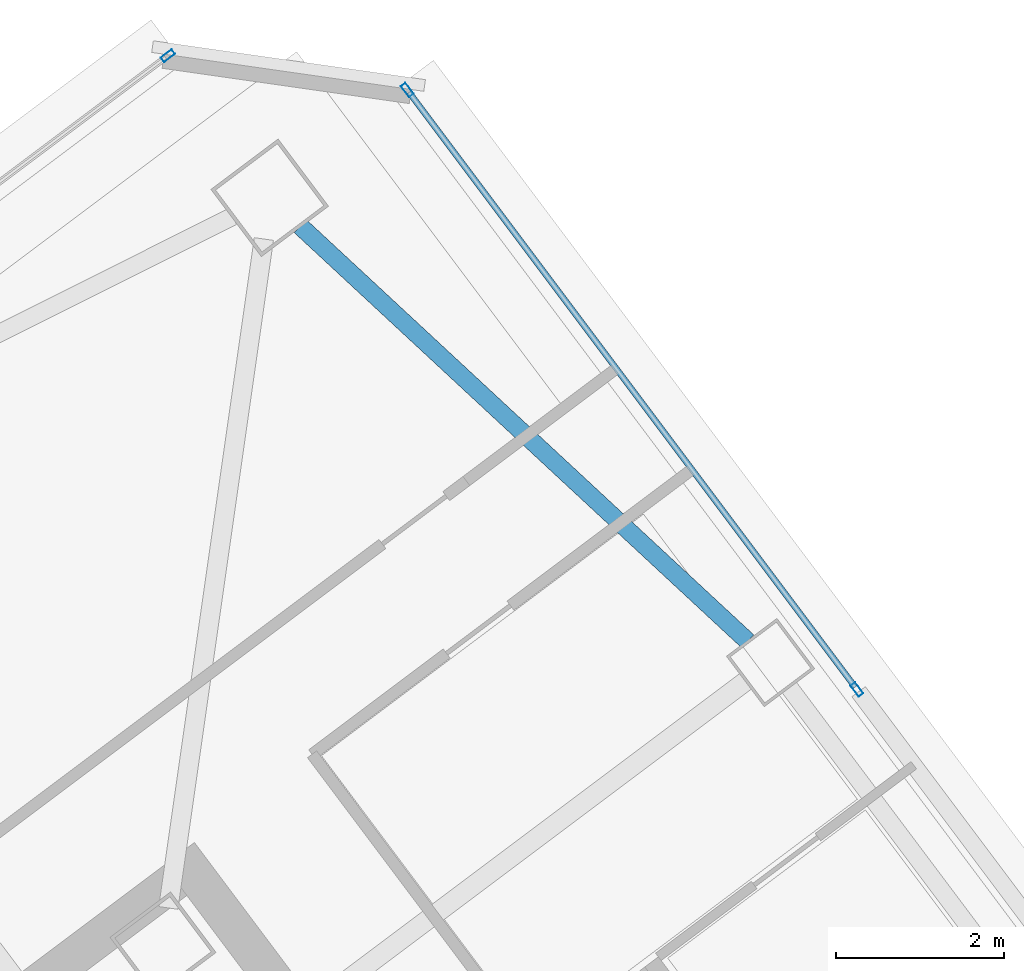
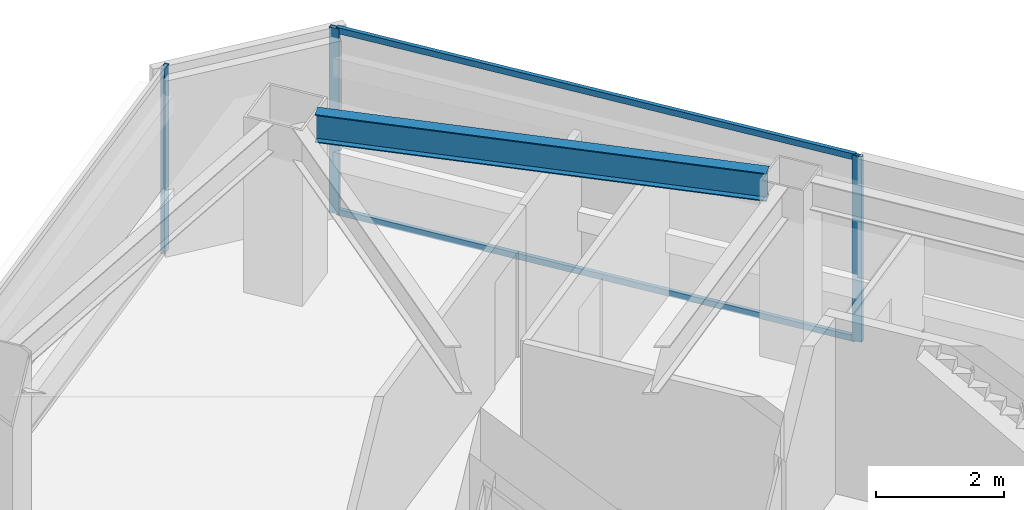
# One storey, part 27 of 39: 5 members, 1 beam, 2 elements without a shape of their own.
"""IFC4 building model written with IfcOpenShell, lengths in metres."""

from ifc_helpers import new_model, si_unit, direction, frame, origin, origin_2d, place, context, subcontext, project, spatial, hollow_rectangle, i_section, extrude, material, material_profile, profile_set, type_object, element, aggregate, save


model = new_model("IFC4")

# Units and contexts
model_context = context("Model", 3, precision=1e-05, world=origin(), true_north=direction((0.0, 1.0)))
body_context = subcontext(model_context, "Body", "Model", "MODEL_VIEW")
ifc_project = project(units=[si_unit("LENGTHUNIT", "METRE"), si_unit("AREAUNIT", "SQUARE_METRE"), si_unit("VOLUMEUNIT", "CUBIC_METRE"), si_unit("PLANEANGLEUNIT", "RADIAN"), si_unit("MASSUNIT", "GRAM", prefix="KILO")], contexts=[model_context])

# Site, building, storey
site_placement = place(None, origin())
site = spatial("IfcSite", under=ifc_project, at=site_placement, CompositionType="ELEMENT")
building_placement = place(site_placement, origin())
building = spatial("IfcBuilding", under=site, at=building_placement, Name="Tashvorn Skyway Center", CompositionType="ELEMENT")
storey_placement = place(building_placement, frame((0.0, 0.0, 207.75)))
storey = spatial("IfcBuildingStorey", under=building, at=storey_placement, Name="L56", CompositionType="ELEMENT", Elevation=207.75)

# Beam
ifc_material_1 = material(Name="Steel ASTM A992 Grade 50", Category="steel")
ifc_material_profile_1 = material_profile(ifc_material_1, i_section(OverallWidth=0.2109375, OverallDepth=0.5390625, WebThickness=0.01171875, FlangeThickness=0.018798828125, at=origin_2d()), Name="W21X73")
ifc_profile_set_1 = profile_set([ifc_material_profile_1], Name="Steel ASTM A992 Grade 50")
beam_type = type_object("IfcBeamType", Name="BM-SPANDREL-W21X73", PredefinedType="SPANDREL", material=ifc_profile_set_1)
beam_placement = place(storey_placement, frame((122.36865234375, 45.481689453125, 3.1005859375), z_axis=(-0.733042389989, 0.680182956622, 0.0), x_axis=(-0.680182956622, -0.733042389989, 0.0)))
element("IfcBeam", 1, at=beam_placement, inside=storey, type_object=beam_type, Name="Tower 2 L56 Spandrel Beam 06", PredefinedType="SPANDREL", context=body_context, shape_type="SweptSolid", body=[
    extrude(i_section(OverallWidth=0.2109375, OverallDepth=0.5390625, WebThickness=0.01171875, FlangeThickness=0.018798828125, at=origin_2d()), origin(), (0.0, 0.0, 1.0), 7.26513671875),
])

# Curtain wall, member
ifc_material_2 = material(Name="Thermally broken bronze-anodized aluminium 6063-T6", Category="aluminium")
curtain_wall_type = type_object("IfcCurtainWallType", Name="CW-CW-Z5", PredefinedType="NOTDEFINED", material=ifc_material_2)
curtain_wall_1_placement = place(storey_placement, origin())
curtain_wall_1 = element("IfcCurtainWall", 2, at=curtain_wall_1_placement, inside=storey, type_object=curtain_wall_type, Name="Tower 2 L56 North Unitised Curtain Wall Glazing Group 2", PredefinedType="NOTDEFINED")
ifc_material_profile_2 = material_profile(ifc_material_2, hollow_rectangle(XDim=0.070068359375, YDim=0.1650390625, WallThickness=0.00390625, at=origin_2d()), Name="ALU-MULL-70x165")
ifc_profile_set_2 = profile_set([ifc_material_profile_2], Name="Thermally broken bronze-anodized aluminium 6063-T6")
member_type_1 = type_object("IfcMemberType", Name="CWM-CW-Z5", PredefinedType="MULLION", material=ifc_profile_set_2)
member_1_placement = place(storey_placement, frame((115.468017578125, 52.450927734375, 0.0), z_axis=(0.0, 0.0, 1.0), x_axis=(-0.600001780418, 0.799998664683, 0.0)))
member_1 = element("IfcMember", 3, at=member_1_placement, type_object=member_type_1, Name="CW-Z5 mullion 2", PredefinedType="MULLION", context=body_context, shape_type="SweptSolid", body=[
    extrude(hollow_rectangle(XDim=0.070068359375, YDim=0.1650390625, WallThickness=0.00390625, at=origin_2d()), origin(), (0.0, 0.0, 1.0), 3.550048828125),
])
aggregate(curtain_wall_1, [member_1])

# Curtain wall, members
curtain_wall_2_placement = place(storey_placement, origin())
curtain_wall_2 = element("IfcCurtainWall", 4, at=curtain_wall_2_placement, inside=storey, type_object=curtain_wall_type, Name="Tower 2 L56 East Unitised Curtain Wall Glazing Group 1", PredefinedType="NOTDEFINED")
member_2_placement = place(storey_placement, frame((118.31689453125, 52.0439453125, 0.0), z_axis=(0.0, 0.0, 1.0), x_axis=(0.799998664683, 0.600001780418, 0.0)))
member_2 = element("IfcMember", 5, at=member_2_placement, type_object=member_type_1, Name="CW-Z5 mullion 1", PredefinedType="MULLION", context=body_context, shape_type="SweptSolid", body=[
    extrude(hollow_rectangle(XDim=0.070068359375, YDim=0.1650390625, WallThickness=0.00390625, at=origin_2d()), origin(), (0.0, 0.0, 1.0), 3.550048828125),
])
member_3_placement = place(storey_placement, frame((123.6669921875, 44.91064453125, 0.0), z_axis=(0.0, 0.0, 1.0), x_axis=(0.799998664683, 0.600001780418, 0.0)))
member_3 = element("IfcMember", 6, at=member_3_placement, type_object=member_type_1, Name="CW-Z5 mullion 2", PredefinedType="MULLION", context=body_context, shape_type="SweptSolid", body=[
    extrude(hollow_rectangle(XDim=0.070068359375, YDim=0.1650390625, WallThickness=0.00390625, at=origin_2d()), origin(), (0.0, 0.0, 1.0), 3.550048828125),
])
ifc_material_profile_3 = material_profile(ifc_material_2, hollow_rectangle(XDim=0.070068359375, YDim=0.114990234375, WallThickness=0.00390625, at=origin_2d()), Name="ALU-TRAN-70x115")
ifc_profile_set_3 = profile_set([ifc_material_profile_3], Name="Thermally broken bronze-anodized aluminium 6063-T6")
member_type_2 = type_object("IfcMemberType", Name="CWT-CW-Z5", PredefinedType="USERDEFINED", material=ifc_profile_set_3)
member_4_placement = place(storey_placement, frame((118.337890625, 52.01611328125, 0.034912109375), z_axis=(0.600004415441, -0.799996688401, 0.0), x_axis=(0.799996688401, 0.600004415441, 0.0)))
member_4 = element("IfcMember", 7, at=member_4_placement, type_object=member_type_2, Name="CW-Z5 transom 1.1", ObjectType="TRANSOM", PredefinedType="USERDEFINED", context=body_context, shape_type="SweptSolid", body=[
    extrude(hollow_rectangle(XDim=0.070068359375, YDim=0.114990234375, WallThickness=0.00390625, at=origin_2d()), origin(), (0.0, 0.0, 1.0), 8.8466796875),
])
member_5_placement = place(storey_placement, frame((118.337890625, 52.01611328125, 3.514892578125), z_axis=(0.600004415441, -0.799996688401, 0.0), x_axis=(0.799996688401, 0.600004415441, 0.0)))
member_5 = element("IfcMember", 8, at=member_5_placement, type_object=member_type_2, Name="CW-Z5 transom 1.2", ObjectType="TRANSOM", PredefinedType="USERDEFINED", context=body_context, shape_type="SweptSolid", body=[
    extrude(hollow_rectangle(XDim=0.070068359375, YDim=0.114990234375, WallThickness=0.00390625, at=origin_2d()), origin(), (0.0, 0.0, 1.0), 8.8466796875),
])
aggregate(curtain_wall_2, [member_2, member_3, member_4, member_5])

save(model, "model.ifc")
